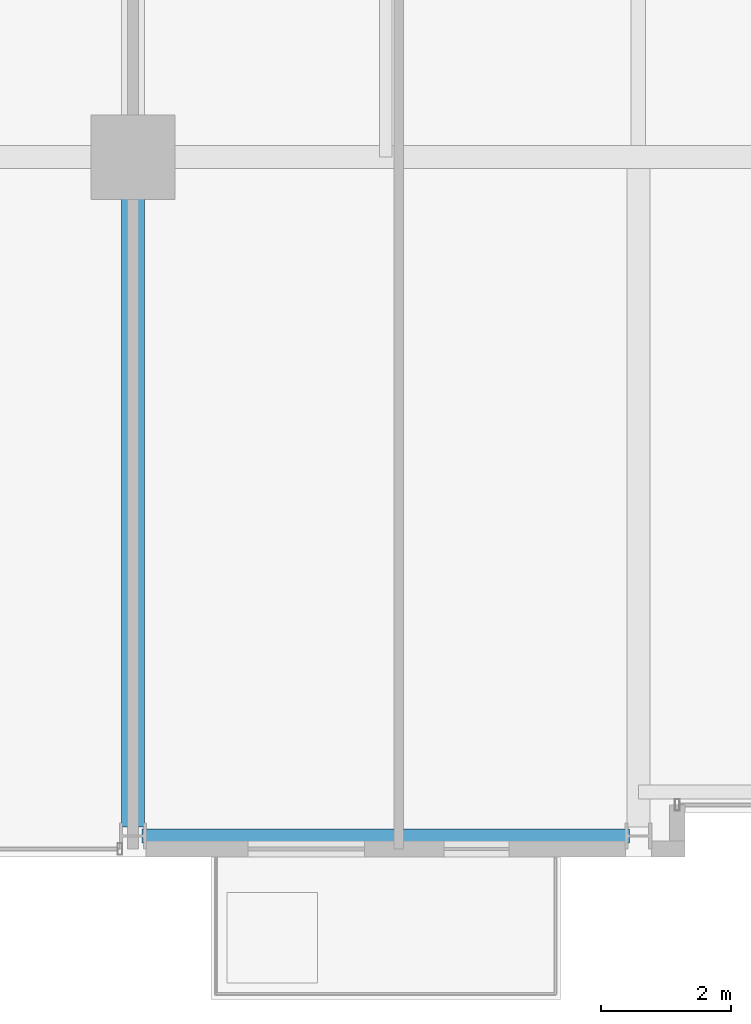
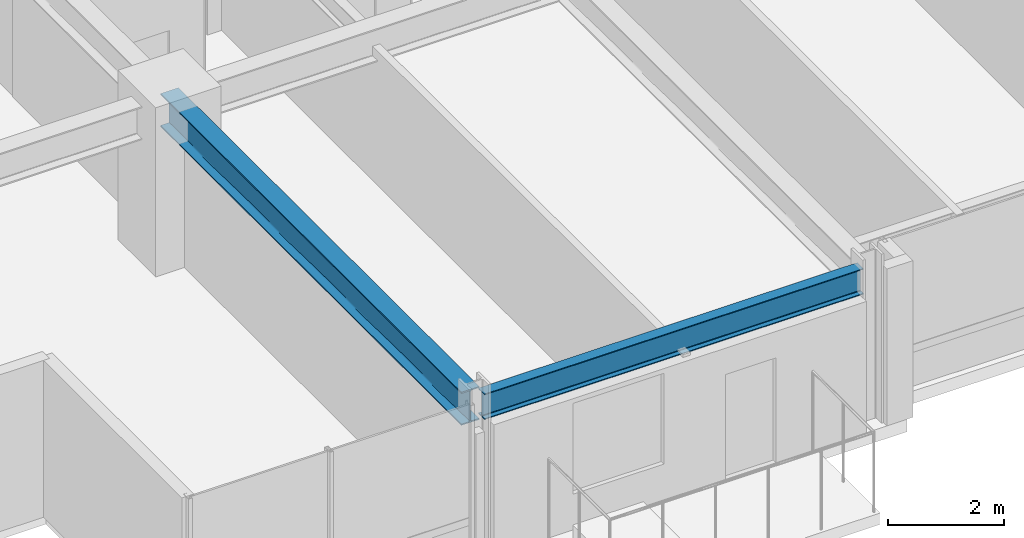
# One storey, part 3 of 32: 2 beams.
"""IFC4 building model written with IfcOpenShell, lengths in metres."""

from ifc_helpers import new_model, si_unit, direction, frame, origin, origin_2d, place, context, subcontext, project, spatial, i_section, extrude, material, material_profile, profile_set, type_object, element, save


model = new_model("IFC4")

# Units and contexts
model_context = context("Model", 3, precision=1e-05, world=origin(), true_north=direction((0.0, 1.0)))
body_context = subcontext(model_context, "Body", "Model", "MODEL_VIEW")
ifc_project = project(units=[si_unit("LENGTHUNIT", "METRE"), si_unit("AREAUNIT", "SQUARE_METRE"), si_unit("VOLUMEUNIT", "CUBIC_METRE"), si_unit("PLANEANGLEUNIT", "RADIAN"), si_unit("MASSUNIT", "GRAM", prefix="KILO")], contexts=[model_context])

# Site, building, storey
site_placement = place(None, origin())
site = spatial("IfcSite", under=ifc_project, at=site_placement, CompositionType="ELEMENT")
building_placement = place(site_placement, origin())
building = spatial("IfcBuilding", under=site, at=building_placement, Name="Drelvath Grand Hotel", CompositionType="ELEMENT")
storey_placement = place(building_placement, frame((0.0, 0.0, 150.39990234375)))
storey = spatial("IfcBuildingStorey", under=building, at=storey_placement, Name="L38", CompositionType="ELEMENT", Elevation=150.39990234375)

# Beams
ifc_material = material(Name="Steel ASTM A992 Gr 50", Category="steel")
ifc_material_profile_1 = material_profile(ifc_material, i_section(OverallWidth=0.210205078125, OverallDepth=0.53662109375, WebThickness=0.010986328125, FlangeThickness=0.017333984375, FilletRadius=0.01806640625, at=origin_2d()), Name="W21X68")
ifc_profile_set_1 = profile_set([ifc_material_profile_1], Name="Steel ASTM A992 Gr 50")
beam_type_1 = type_object("IfcBeamType", Name="Perimeter Spandrel Beam W21X68", PredefinedType="SPANDREL", material=ifc_profile_set_1)
beam_1_placement = place(storey_placement, frame((-16.06005859375, 0.320068359375, 3.021728515625), z_axis=(1.0, 0.0, 0.0), x_axis=(0.0, 1.0, 0.0)))
element("IfcBeam", 1, at=beam_1_placement, inside=storey, type_object=beam_type_1, Name="L38 Spandrel South W", PredefinedType="SPANDREL", context=body_context, shape_type="SweptSolid", body=[
    extrude(i_section(OverallWidth=0.210205078125, OverallDepth=0.53662109375, WebThickness=0.010986328125, FlangeThickness=0.017333984375, FilletRadius=0.01806640625, at=origin_2d()), origin(), (0.0, 0.0, 1.0), 7.52001953125),
])
ifc_material_profile_2 = material_profile(ifc_material, i_section(OverallWidth=0.354736328125, OverallDepth=0.695556640625, WebThickness=0.015380859375, FlangeThickness=0.025146484375, FilletRadius=0.02392578125, at=origin_2d()), Name="W27X146")
ifc_profile_set_2 = profile_set([ifc_material_profile_2], Name="Steel ASTM A992 Gr 50")
beam_type_2 = type_object("IfcBeamType", Name="Primary Floor Girder W27X146", PredefinedType="BEAM", material=ifc_profile_set_2)
beam_2_placement = place(storey_placement, frame((-16.199951171875, 0.4599609375, 2.9423828125), z_axis=(0.0, 1.0, 0.0), x_axis=(-1.0, 0.0, 0.0)))
element("IfcBeam", 2, at=beam_2_placement, inside=storey, type_object=beam_type_2, Name="L38 South Grid Girder 3", PredefinedType="BEAM", context=body_context, shape_type="SweptSolid", body=[
    extrude(i_section(OverallWidth=0.354736328125, OverallDepth=0.695556640625, WebThickness=0.015380859375, FlangeThickness=0.025146484375, FilletRadius=0.02392578125, at=origin_2d()), origin(), (0.0, 0.0, 1.0), 10.340087890625),
])

save(model, "model.ifc")
